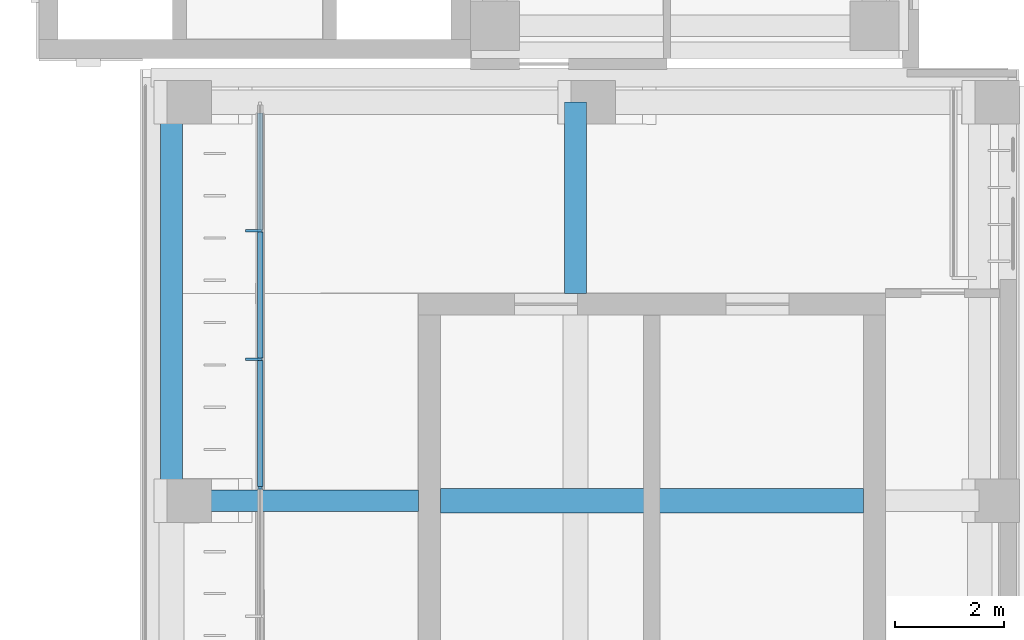
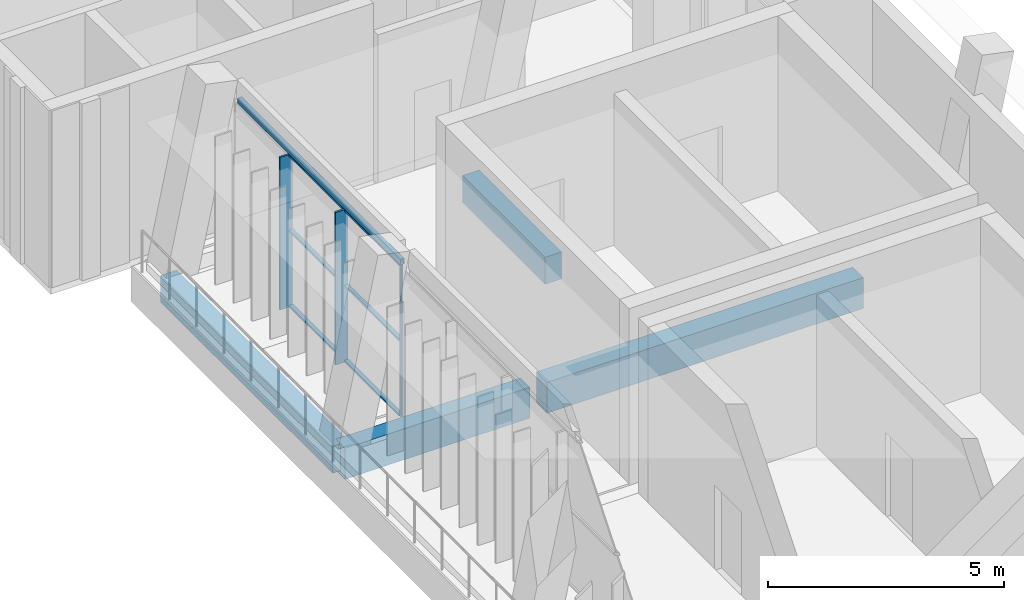
# One storey, part 79 of 141: 9 members, 5 beams, 1 element without a shape of its own.
"""IFC4 building model written with IfcOpenShell, lengths in metres."""

from ifc_helpers import new_model, si_unit, direction, frame, origin, origin_2d, place, context, subcontext, project, spatial, rectangle, hollow_rectangle, extrude, material, material_profile, profile_set, type_object, element, aggregate, save


model = new_model("IFC4")

# Units and contexts
model_context = context("Model", 3, precision=1e-05, world=origin(), true_north=direction((0.0, 1.0)))
body_context = subcontext(model_context, "Body", "Model", "MODEL_VIEW")
ifc_project = project(units=[si_unit("LENGTHUNIT", "METRE"), si_unit("AREAUNIT", "SQUARE_METRE"), si_unit("VOLUMEUNIT", "CUBIC_METRE"), si_unit("PLANEANGLEUNIT", "RADIAN"), si_unit("MASSUNIT", "GRAM", prefix="KILO")], contexts=[model_context])

# Site, building, storey
site_placement = place(None, origin())
site = spatial("IfcSite", under=ifc_project, at=site_placement, CompositionType="ELEMENT")
building_placement = place(site_placement, origin())
building = spatial("IfcBuilding", under=site, at=building_placement, Name="Lantern Court Media Centre", CompositionType="ELEMENT")
storey_placement = place(building_placement, frame((0.0, 0.0, 9.60009765625)))
storey = spatial("IfcBuildingStorey", under=building, at=storey_placement, Name="L02", CompositionType="ELEMENT", Elevation=9.60009765625)

# Curtain wall, members
ifc_material_1 = material(Name="Curtain wall bay 2400")
curtain_wall_type = type_object("IfcCurtainWallType", Name="Curtain wall bay 2400", PredefinedType="NOTDEFINED", material=ifc_material_1)
curtain_wall_placement = place(storey_placement, origin())
curtain_wall = element("IfcCurtainWall", 1, at=curtain_wall_placement, inside=storey, type_object=curtain_wall_type, Name="Curtain wall E inner L02", PredefinedType="NOTDEFINED")
ifc_material_2 = material(Name="Anodised aluminium", Category="aluminium")
ifc_material_profile_1 = material_profile(ifc_material_2, rectangle(XDim=0.300048828125, YDim=0.050048828125, at=origin_2d()), Name="AL 50x300")
ifc_profile_set_1 = profile_set([ifc_material_profile_1], Name="Anodised aluminium")
member_type_1 = type_object("IfcMemberType", Name="Curtain wall mullion 50x300", PredefinedType="MULLION", material=ifc_profile_set_1)
member_1_placement = place(storey_placement, frame((84.030029296875, 90.59228515625, 0.0), z_axis=(0.0, 0.0, 1.0), x_axis=(-1.0, 0.0, 0.0)))
member_1 = element("IfcMember", 2, at=member_1_placement, type_object=member_type_1, Name="CW2 mullion 12", PredefinedType="MULLION", context=body_context, shape_type="SweptSolid", body=[
    extrude(rectangle(XDim=0.300048828125, YDim=0.050048828125, at=origin_2d()), origin(), (0.0, 0.0, 1.0), 3.949951171875),
])
member_2_placement = place(storey_placement, frame((84.030029296875, 92.946044921875, 0.0), z_axis=(0.0, 0.0, 1.0), x_axis=(-1.0, 0.0, 0.0)))
member_2 = element("IfcMember", 3, at=member_2_placement, type_object=member_type_1, Name="CW2 mullion 13", PredefinedType="MULLION", context=body_context, shape_type="SweptSolid", body=[
    extrude(rectangle(XDim=0.300048828125, YDim=0.050048828125, at=origin_2d()), origin(), (0.0, 0.0, 1.0), 3.949951171875),
])
ifc_material_profile_2 = material_profile(ifc_material_2, rectangle(XDim=0.06005859375, YDim=0.050048828125, at=origin_2d()), Name="AL 50x60")
ifc_profile_set_2 = profile_set([ifc_material_profile_2], Name="Anodised aluminium")
member_type_2 = type_object("IfcMemberType", Name="Curtain wall mullion 50x60", PredefinedType="MULLION", material=ifc_profile_set_2)
member_3_placement = place(storey_placement, frame((84.14990234375, 88.238525390625, 0.0), z_axis=(0.0, 0.0, 1.0), x_axis=(-1.0, 0.0, 0.0)))
member_3 = element("IfcMember", 4, at=member_3_placement, type_object=member_type_2, Name="CW2 mullion 11", PredefinedType="MULLION", context=body_context, shape_type="SweptSolid", body=[
    extrude(rectangle(XDim=0.06005859375, YDim=0.050048828125, at=origin_2d()), origin(), (0.0, 0.0, 1.0), 3.949951171875),
])
ifc_material_profile_3 = material_profile(ifc_material_2, rectangle(XDim=0.10009765625, YDim=0.050048828125, at=origin_2d()), Name="AL 50x100")
ifc_profile_set_3 = profile_set([ifc_material_profile_3], Name="Anodised aluminium")
member_type_3 = type_object("IfcMemberType", Name="Curtain wall transom 100x50", PredefinedType="USERDEFINED", material=ifc_profile_set_3)
member_4_placement = place(storey_placement, frame((84.14990234375, 88.263427734375, 0.02490234375), z_axis=(0.0, 1.0, 0.0), x_axis=(-1.0, 0.0, 0.0)))
member_4 = element("IfcMember", 5, at=member_4_placement, type_object=member_type_3, Name="CW2 transom 11.1", ObjectType="TRANSOM", PredefinedType="USERDEFINED", context=body_context, shape_type="SweptSolid", body=[
    extrude(rectangle(XDim=0.10009765625, YDim=0.050048828125, at=origin_2d()), origin(), (0.0, 0.0, 1.0), 2.303955078125),
])
member_5_placement = place(storey_placement, frame((84.14990234375, 88.263427734375, 1.974853515625), z_axis=(0.0, 1.0, 0.0), x_axis=(-1.0, 0.0, 0.0)))
member_5 = element("IfcMember", 6, at=member_5_placement, type_object=member_type_3, Name="CW2 transom 11.2", ObjectType="TRANSOM", PredefinedType="USERDEFINED", context=body_context, shape_type="SweptSolid", body=[
    extrude(rectangle(XDim=0.10009765625, YDim=0.050048828125, at=origin_2d()), origin(), (0.0, 0.0, 1.0), 2.303955078125),
])
member_6_placement = place(storey_placement, frame((84.14990234375, 88.263427734375, 3.9248046875), z_axis=(0.0, 1.0, 0.0), x_axis=(-1.0, 0.0, 0.0)))
member_6 = element("IfcMember", 7, at=member_6_placement, type_object=member_type_3, Name="CW2 transom 11.3", ObjectType="TRANSOM", PredefinedType="USERDEFINED", context=body_context, shape_type="SweptSolid", body=[
    extrude(rectangle(XDim=0.10009765625, YDim=0.050048828125, at=origin_2d()), origin(), (0.0, 0.0, 1.0), 2.303955078125),
])
member_7_placement = place(storey_placement, frame((84.14990234375, 90.6171875, 0.02490234375), z_axis=(0.0, 1.0, 0.0), x_axis=(-1.0, 0.0, 0.0)))
member_7 = element("IfcMember", 8, at=member_7_placement, type_object=member_type_3, Name="CW2 transom 12.1", ObjectType="TRANSOM", PredefinedType="USERDEFINED", context=body_context, shape_type="SweptSolid", body=[
    extrude(rectangle(XDim=0.10009765625, YDim=0.050048828125, at=origin_2d()), origin(), (0.0, 0.0, 1.0), 2.303955078125),
])
member_8_placement = place(storey_placement, frame((84.14990234375, 90.6171875, 1.974853515625), z_axis=(0.0, 1.0, 0.0), x_axis=(-1.0, 0.0, 0.0)))
member_8 = element("IfcMember", 9, at=member_8_placement, type_object=member_type_3, Name="CW2 transom 12.2", ObjectType="TRANSOM", PredefinedType="USERDEFINED", context=body_context, shape_type="SweptSolid", body=[
    extrude(rectangle(XDim=0.10009765625, YDim=0.050048828125, at=origin_2d()), origin(), (0.0, 0.0, 1.0), 2.303955078125),
])
member_9_placement = place(storey_placement, frame((84.14990234375, 90.6171875, 3.9248046875), z_axis=(0.0, 1.0, 0.0), x_axis=(-1.0, 0.0, 0.0)))
member_9 = element("IfcMember", 10, at=member_9_placement, type_object=member_type_3, Name="CW2 transom 12.3", ObjectType="TRANSOM", PredefinedType="USERDEFINED", context=body_context, shape_type="SweptSolid", body=[
    extrude(rectangle(XDim=0.10009765625, YDim=0.050048828125, at=origin_2d()), origin(), (0.0, 0.0, 1.0), 2.303955078125),
])
aggregate(curtain_wall, [member_3, member_1, member_2, member_4, member_5, member_6, member_7, member_8, member_9])

# Beams
ifc_material_3 = material(Name="Steel S355J2 (EN 10025-2)", Category="steel")
ifc_material_profile_4 = material_profile(ifc_material_3, hollow_rectangle(XDim=0.10009765625, YDim=0.14990234375, WallThickness=0.00634765625, InnerFilletRadius=0.00634765625, OuterFilletRadius=0.009521484375, at=origin_2d()), Name="Facade head lintel RHS 150x100x6.3")
ifc_profile_set_4 = profile_set([ifc_material_profile_4], Name="Steel S355J2 (EN 10025-2)")
beam_type_1 = type_object("IfcBeamType", Name="Facade head lintel RHS 150x100x6.3", PredefinedType="BEAM", material=ifc_profile_set_4)
beam_1_placement = place(storey_placement, frame((84.14990234375, 88.199951171875, 4.02490234375), z_axis=(0.0, 1.0, 0.0), x_axis=(-1.0, 0.0, 0.0)))
element("IfcBeam", 11, at=beam_1_placement, inside=storey, type_object=beam_type_1, Name="Facade head lintel E L02", PredefinedType="BEAM", context=body_context, shape_type="SweptSolid", body=[
    extrude(hollow_rectangle(XDim=0.10009765625, YDim=0.14990234375, WallThickness=0.00634765625, InnerFilletRadius=0.00634765625, OuterFilletRadius=0.009521484375, at=origin_2d()), origin(), (0.0, 0.0, 1.0), 6.900146484375),
])
ifc_material_4 = material(Name="Concrete C35", Category="concrete")
ifc_material_profile_5 = material_profile(ifc_material_4, rectangle(XDim=0.39990234375, YDim=0.699951171875, at=origin_2d()), Name="RC 400x700")
ifc_profile_set_5 = profile_set([ifc_material_profile_5], Name="Concrete C35")
beam_type_2 = type_object("IfcBeamType", Name="RC BEAM 400x700", PredefinedType="BEAM", material=ifc_profile_set_5)
beam_2_placement = place(storey_placement, frame((82.527099609375, 88.0, -0.35009765625), z_axis=(0.0, 1.0, 0.0), x_axis=(-1.0, 0.0, 0.0)))
element("IfcBeam", 12, at=beam_2_placement, inside=storey, type_object=beam_type_2, Name="LB-E-L02-0-3", PredefinedType="BEAM", context=body_context, shape_type="SweptSolid", body=[
    extrude(rectangle(XDim=0.39990234375, YDim=0.699951171875, at=origin_2d()), origin(), (0.0, 0.0, 1.0), 7.300048828125),
])
beam_3_placement = place(storey_placement, frame((89.927001953125, 91.800048828125, -0.35009765625), z_axis=(0.0, 1.0, 0.0), x_axis=(-1.0, 0.0, 0.0)))
element("IfcBeam", 13, at=beam_3_placement, inside=storey, type_object=beam_type_2, Name="LB-E-L02-1-11", PredefinedType="BEAM", context=body_context, shape_type="SweptSolid", body=[
    extrude(rectangle(XDim=0.39990234375, YDim=0.699951171875, at=origin_2d()), origin(), (0.0, 0.0, 1.0), 3.5),
])
ifc_material_profile_6 = material_profile(ifc_material_4, rectangle(XDim=0.39990234375, YDim=0.800048828125, at=origin_2d()), Name="RC 400x800")
ifc_profile_set_6 = profile_set([ifc_material_profile_6], Name="Concrete C35")
beam_type_3 = type_object("IfcBeamType", Name="RC BEAM 400x800", PredefinedType="BEAM", material=ifc_profile_set_6)
beam_4_placement = place(storey_placement, frame((82.5166015625, 88.0, -0.400146484375), z_axis=(1.0, 0.0, 0.0), x_axis=(0.0, 1.0, 0.0)))
element("IfcBeam", 14, at=beam_4_placement, inside=storey, type_object=beam_type_3, Name="TB-E-L02-3-1", PredefinedType="BEAM", context=body_context, shape_type="SweptSolid", body=[
    extrude(rectangle(XDim=0.39990234375, YDim=0.800048828125, at=origin_2d()), origin(), (0.0, 0.0, 1.0), 4.533447265625),
])
ifc_material_profile_7 = material_profile(ifc_material_4, rectangle(XDim=0.449951171875, YDim=0.800048828125, at=origin_2d()), Name="RC 450x800")
ifc_profile_set_7 = profile_set([ifc_material_profile_7], Name="Concrete C35")
beam_type_4 = type_object("IfcBeamType", Name="RC BEAM 450x800", PredefinedType="BEAM", material=ifc_profile_set_7)
beam_5_placement = place(storey_placement, frame((87.449951171875, 88.0, -0.400146484375), z_axis=(1.0, 0.0, 0.0), x_axis=(0.0, 1.0, 0.0)))
element("IfcBeam", 15, at=beam_5_placement, inside=storey, type_object=beam_type_4, Name="TB-E-L02-3-11", PredefinedType="BEAM", context=body_context, shape_type="SweptSolid", body=[
    extrude(rectangle(XDim=0.449951171875, YDim=0.800048828125, at=origin_2d()), origin(), (0.0, 0.0, 1.0), 7.75),
])

save(model, "model.ifc")
